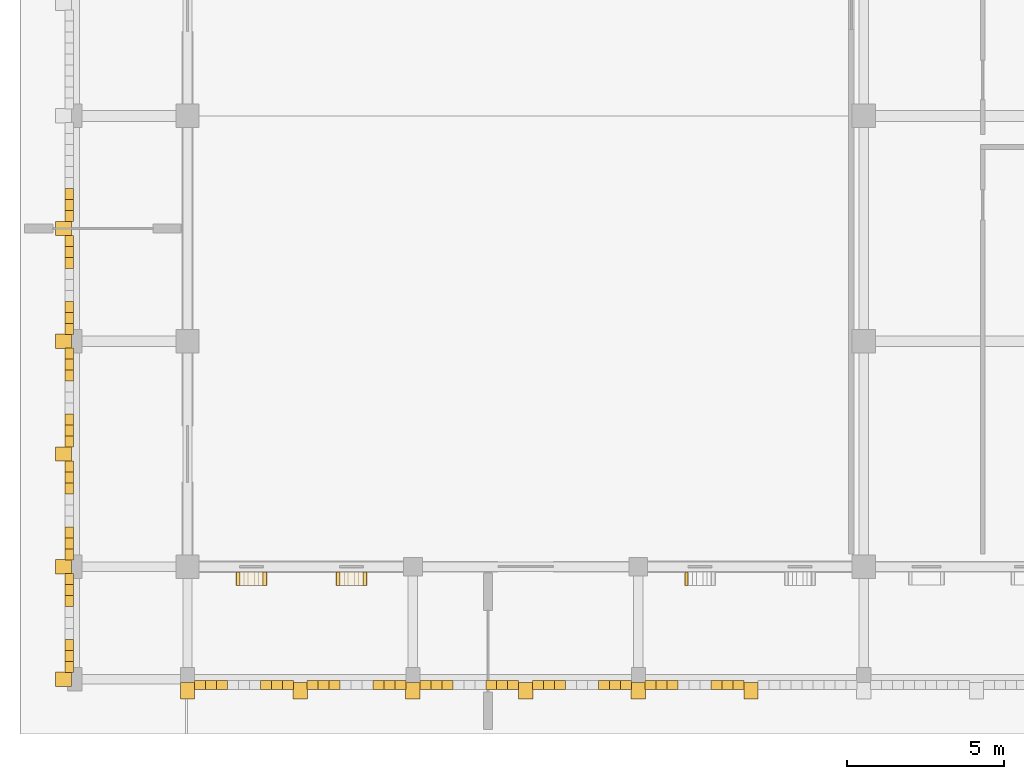
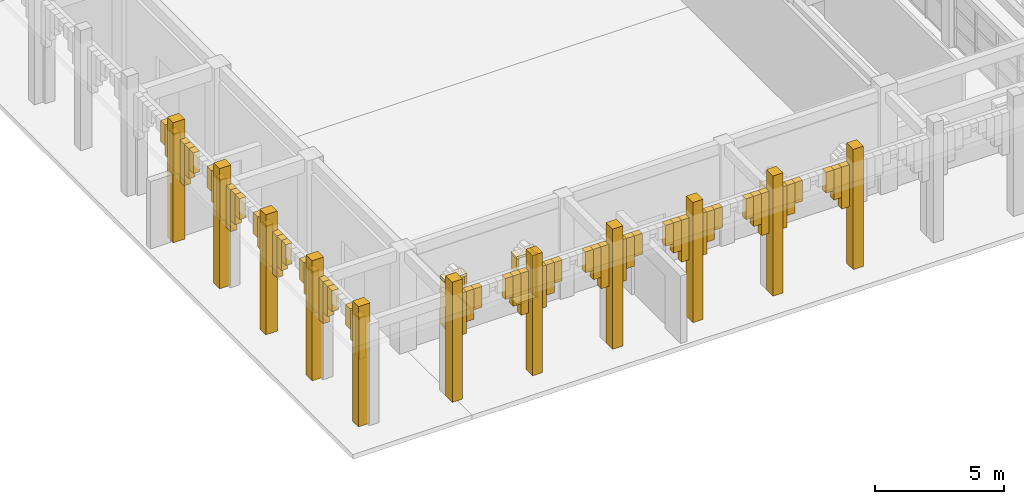
# One storey, part 46 of 72: 77 coverings.
"""IFC4 building model written with IfcOpenShell, lengths in metres."""

from ifc_helpers import new_model, si_unit, direction, frame, origin, origin_2d, place, context, subcontext, project, spatial, rectangle, extrude, material, layer, layer_set, type_object, element, save


model = new_model("IFC4")

# Units and contexts
model_context = context("Model", 3, precision=1e-05, world=origin(), true_north=direction((0.0, 1.0)))
body_context = subcontext(model_context, "Body", "Model", "MODEL_VIEW")
ifc_project = project(units=[si_unit("LENGTHUNIT", "METRE"), si_unit("AREAUNIT", "SQUARE_METRE"), si_unit("VOLUMEUNIT", "CUBIC_METRE"), si_unit("PLANEANGLEUNIT", "RADIAN"), si_unit("MASSUNIT", "GRAM", prefix="KILO")], contexts=[model_context])

# Site, building, storey
site_placement = place(None, origin())
site = spatial("IfcSite", under=ifc_project, at=site_placement, CompositionType="ELEMENT")
building_placement = place(site_placement, origin())
building = spatial("IfcBuilding", under=site, at=building_placement, Name="Nzembalo Square Collegiate School", CompositionType="ELEMENT")
storey_placement = place(building_placement, origin())
storey = spatial("IfcBuildingStorey", under=building, at=storey_placement, Name="L00", CompositionType="ELEMENT", Elevation=0.0)

# Coverings
ifc_material_1 = material(Name="Precast concrete C40/50 arch voussoir", Category="concrete")
ifc_layer_1 = layer(ifc_material_1, 0.1201171875, Name="Precast concrete C40/50 arch voussoir")
ifc_layer_set_1 = layer_set([ifc_layer_1], Name="Precast concrete C40/50 arch voussoir")
covering_type_1 = type_object("IfcCoveringType", Name="AR01", PredefinedType="CLADDING", material=ifc_layer_set_1)
covering_1_placement = place(storey_placement, frame((4.6201171875, 5.195556640625, 2.808349609375), z_axis=(0.0, 0.0, 1.0), x_axis=(1.0, 0.0, 0.0)))
element("IfcCovering", 1, at=covering_1_placement, inside=storey, type_object=covering_type_1, Name="Gothic pointed arch voussoir AR01-001-0", PredefinedType="CLADDING", context=body_context, shape_type="SweptSolid", body=[
    extrude(rectangle(XDim=0.280029296875, YDim=0.35107421875, at=origin_2d()), origin(), (0.0, 0.0, 1.0), 1.99169921875),
])
covering_2_placement = place(storey_placement, frame((4.6201171875, 5.546630859375, 3.361083984375), z_axis=(0.0, 0.0, 1.0), x_axis=(1.0, 0.0, 0.0)))
element("IfcCovering", 2, at=covering_2_placement, inside=storey, type_object=covering_type_1, Name="Gothic pointed arch voussoir AR01-001-1", PredefinedType="CLADDING", context=body_context, shape_type="SweptSolid", body=[
    extrude(rectangle(XDim=0.280029296875, YDim=0.35107421875, at=origin_2d()), origin(), (0.0, 0.0, 1.0), 1.43896484375),
])
for number, where, z_axis, x_axis, name in (
    (3, (4.6201171875, 5.897705078125, 3.810546875), (0.0, 0.0, 1.0), (1.0, 0.0, 0.0), "Gothic pointed arch voussoir AR01-001-2"),
    (4, (4.6201171875, 7.302001953125, 3.810546875), (0.0, 0.0, 1.0), (1.0, 0.0, 0.0), "Gothic pointed arch voussoir AR01-001-6"),
):
    element("IfcCovering", number, at=place(storey_placement, frame(where, z_axis=z_axis, x_axis=x_axis)), inside=storey, type_object=covering_type_1, Name=name, PredefinedType="CLADDING", context=body_context, shape_type="SweptSolid", body=[
        extrude(rectangle(XDim=0.280029296875, YDim=0.35107421875, at=origin_2d()), origin(), (0.0, 0.0, 1.0), 0.989501953125),
    ])
covering_3_placement = place(storey_placement, frame((4.6201171875, 7.6533203125, 3.361328125), z_axis=(0.0, 0.0, 1.0), x_axis=(1.0, 0.0, 0.0)))
element("IfcCovering", 5, at=covering_3_placement, inside=storey, type_object=covering_type_1, Name="Gothic pointed arch voussoir AR01-001-7", PredefinedType="CLADDING", context=body_context, shape_type="SweptSolid", body=[
    extrude(rectangle(XDim=0.280029296875, YDim=0.35107421875, at=origin_2d()), origin(), (0.0, 0.0, 1.0), 1.438720703125),
])
covering_4_placement = place(storey_placement, frame((4.6201171875, 8.00439453125, 2.80859375), z_axis=(0.0, 0.0, 1.0), x_axis=(1.0, 0.0, 0.0)))
element("IfcCovering", 6, at=covering_4_placement, inside=storey, type_object=covering_type_1, Name="Gothic pointed arch voussoir AR01-001-8", PredefinedType="CLADDING", context=body_context, shape_type="SweptSolid", body=[
    extrude(rectangle(XDim=0.280029296875, YDim=0.35107421875, at=origin_2d()), origin(), (0.0, 0.0, 1.0), 1.991455078125),
])
covering_5_placement = place(storey_placement, frame((4.43994140625, 4.800048828125, 0.0), z_axis=(0.0, 0.0, 1.0), x_axis=(1.0, 0.0, 0.0)))
element("IfcCovering", 7, at=covering_5_placement, inside=storey, type_object=covering_type_1, Name="Gothic arcade buttress pinnacle AR01-B001", PredefinedType="CLADDING", context=body_context, shape_type="SweptSolid", body=[
    extrude(rectangle(XDim=0.52001953125, YDim=0.4599609375, at=origin_2d()), origin(), (0.0, 0.0, 1.0), 5.699951171875),
])
covering_6_placement = place(storey_placement, frame((4.6201171875, 8.79541015625, 2.808349609375), z_axis=(0.0, 0.0, 1.0), x_axis=(1.0, 0.0, 0.0)))
element("IfcCovering", 8, at=covering_6_placement, inside=storey, type_object=covering_type_1, Name="Gothic pointed arch voussoir AR01-002-0", PredefinedType="CLADDING", context=body_context, shape_type="SweptSolid", body=[
    extrude(rectangle(XDim=0.280029296875, YDim=0.35107421875, at=origin_2d()), origin(), (0.0, 0.0, 1.0), 1.99169921875),
])
covering_7_placement = place(storey_placement, frame((4.6201171875, 9.146484375, 3.361083984375), z_axis=(0.0, 0.0, 1.0), x_axis=(1.0, 0.0, 0.0)))
element("IfcCovering", 9, at=covering_7_placement, inside=storey, type_object=covering_type_1, Name="Gothic pointed arch voussoir AR01-002-1", PredefinedType="CLADDING", context=body_context, shape_type="SweptSolid", body=[
    extrude(rectangle(XDim=0.280029296875, YDim=0.35107421875, at=origin_2d()), origin(), (0.0, 0.0, 1.0), 1.43896484375),
])
for number, where, z_axis, x_axis, name in (
    (10, (4.6201171875, 9.497802734375, 3.810546875), (0.0, 0.0, 1.0), (1.0, 0.0, 0.0), "Gothic pointed arch voussoir AR01-002-2"),
    (11, (4.6201171875, 10.902099609375, 3.810546875), (0.0, 0.0, 1.0), (1.0, 0.0, 0.0), "Gothic pointed arch voussoir AR01-002-6"),
):
    element("IfcCovering", number, at=place(storey_placement, frame(where, z_axis=z_axis, x_axis=x_axis)), inside=storey, type_object=covering_type_1, Name=name, PredefinedType="CLADDING", context=body_context, shape_type="SweptSolid", body=[
        extrude(rectangle(XDim=0.280029296875, YDim=0.35107421875, at=origin_2d()), origin(), (0.0, 0.0, 1.0), 0.989501953125),
    ])
covering_8_placement = place(storey_placement, frame((4.6201171875, 11.253173828125, 3.361328125), z_axis=(0.0, 0.0, 1.0), x_axis=(1.0, 0.0, 0.0)))
element("IfcCovering", 12, at=covering_8_placement, inside=storey, type_object=covering_type_1, Name="Gothic pointed arch voussoir AR01-002-7", PredefinedType="CLADDING", context=body_context, shape_type="SweptSolid", body=[
    extrude(rectangle(XDim=0.280029296875, YDim=0.35107421875, at=origin_2d()), origin(), (0.0, 0.0, 1.0), 1.438720703125),
])
covering_9_placement = place(storey_placement, frame((4.6201171875, 11.6044921875, 2.80859375), z_axis=(0.0, 0.0, 1.0), x_axis=(1.0, 0.0, 0.0)))
element("IfcCovering", 13, at=covering_9_placement, inside=storey, type_object=covering_type_1, Name="Gothic pointed arch voussoir AR01-002-8", PredefinedType="CLADDING", context=body_context, shape_type="SweptSolid", body=[
    extrude(rectangle(XDim=0.280029296875, YDim=0.35107421875, at=origin_2d()), origin(), (0.0, 0.0, 1.0), 1.991455078125),
])
covering_10_placement = place(storey_placement, frame((4.43994140625, 8.39990234375, 0.0), z_axis=(0.0, 0.0, 1.0), x_axis=(1.0, 0.0, 0.0)))
element("IfcCovering", 14, at=covering_10_placement, inside=storey, type_object=covering_type_1, Name="Gothic arcade buttress pinnacle AR01-B002", PredefinedType="CLADDING", context=body_context, shape_type="SweptSolid", body=[
    extrude(rectangle(XDim=0.52001953125, YDim=0.4599609375, at=origin_2d()), origin(), (0.0, 0.0, 1.0), 5.699951171875),
])
covering_11_placement = place(storey_placement, frame((4.6201171875, 12.3955078125, 2.808349609375), z_axis=(0.0, 0.0, 1.0), x_axis=(1.0, 0.0, 0.0)))
element("IfcCovering", 15, at=covering_11_placement, inside=storey, type_object=covering_type_1, Name="Gothic pointed arch voussoir AR01-003-0", PredefinedType="CLADDING", context=body_context, shape_type="SweptSolid", body=[
    extrude(rectangle(XDim=0.280029296875, YDim=0.35107421875, at=origin_2d()), origin(), (0.0, 0.0, 1.0), 1.99169921875),
])
covering_12_placement = place(storey_placement, frame((4.6201171875, 12.74658203125, 3.361083984375), z_axis=(0.0, 0.0, 1.0), x_axis=(1.0, 0.0, 0.0)))
element("IfcCovering", 16, at=covering_12_placement, inside=storey, type_object=covering_type_1, Name="Gothic pointed arch voussoir AR01-003-1", PredefinedType="CLADDING", context=body_context, shape_type="SweptSolid", body=[
    extrude(rectangle(XDim=0.280029296875, YDim=0.35107421875, at=origin_2d()), origin(), (0.0, 0.0, 1.0), 1.43896484375),
])
for number, where, z_axis, x_axis, name in (
    (17, (4.6201171875, 13.09765625, 3.810546875), (0.0, 0.0, 1.0), (1.0, 0.0, 0.0), "Gothic pointed arch voussoir AR01-003-2"),
    (18, (4.6201171875, 14.502197265625, 3.810546875), (0.0, 0.0, 1.0), (1.0, 0.0, 0.0), "Gothic pointed arch voussoir AR01-003-6"),
):
    element("IfcCovering", number, at=place(storey_placement, frame(where, z_axis=z_axis, x_axis=x_axis)), inside=storey, type_object=covering_type_1, Name=name, PredefinedType="CLADDING", context=body_context, shape_type="SweptSolid", body=[
        extrude(rectangle(XDim=0.280029296875, YDim=0.35107421875, at=origin_2d()), origin(), (0.0, 0.0, 1.0), 0.989501953125),
    ])
covering_13_placement = place(storey_placement, frame((4.6201171875, 14.853271484375, 3.361328125), z_axis=(0.0, 0.0, 1.0), x_axis=(1.0, 0.0, 0.0)))
element("IfcCovering", 19, at=covering_13_placement, inside=storey, type_object=covering_type_1, Name="Gothic pointed arch voussoir AR01-003-7", PredefinedType="CLADDING", context=body_context, shape_type="SweptSolid", body=[
    extrude(rectangle(XDim=0.280029296875, YDim=0.35107421875, at=origin_2d()), origin(), (0.0, 0.0, 1.0), 1.438720703125),
])
covering_14_placement = place(storey_placement, frame((4.6201171875, 15.204345703125, 2.80859375), z_axis=(0.0, 0.0, 1.0), x_axis=(1.0, 0.0, 0.0)))
element("IfcCovering", 20, at=covering_14_placement, inside=storey, type_object=covering_type_1, Name="Gothic pointed arch voussoir AR01-003-8", PredefinedType="CLADDING", context=body_context, shape_type="SweptSolid", body=[
    extrude(rectangle(XDim=0.280029296875, YDim=0.35107421875, at=origin_2d()), origin(), (0.0, 0.0, 1.0), 1.991455078125),
])
covering_15_placement = place(storey_placement, frame((4.43994140625, 12.0, 0.0), z_axis=(0.0, 0.0, 1.0), x_axis=(1.0, 0.0, 0.0)))
element("IfcCovering", 21, at=covering_15_placement, inside=storey, type_object=covering_type_1, Name="Gothic arcade buttress pinnacle AR01-B003", PredefinedType="CLADDING", context=body_context, shape_type="SweptSolid", body=[
    extrude(rectangle(XDim=0.52001953125, YDim=0.4599609375, at=origin_2d()), origin(), (0.0, 0.0, 1.0), 5.699951171875),
])
covering_16_placement = place(storey_placement, frame((4.6201171875, 15.99560546875, 2.808349609375), z_axis=(0.0, 0.0, 1.0), x_axis=(1.0, 0.0, 0.0)))
element("IfcCovering", 22, at=covering_16_placement, inside=storey, type_object=covering_type_1, Name="Gothic pointed arch voussoir AR01-004-0", PredefinedType="CLADDING", context=body_context, shape_type="SweptSolid", body=[
    extrude(rectangle(XDim=0.280029296875, YDim=0.35107421875, at=origin_2d()), origin(), (0.0, 0.0, 1.0), 1.99169921875),
])
covering_17_placement = place(storey_placement, frame((4.6201171875, 16.3466796875, 3.361083984375), z_axis=(0.0, 0.0, 1.0), x_axis=(1.0, 0.0, 0.0)))
element("IfcCovering", 23, at=covering_17_placement, inside=storey, type_object=covering_type_1, Name="Gothic pointed arch voussoir AR01-004-1", PredefinedType="CLADDING", context=body_context, shape_type="SweptSolid", body=[
    extrude(rectangle(XDim=0.280029296875, YDim=0.35107421875, at=origin_2d()), origin(), (0.0, 0.0, 1.0), 1.43896484375),
])
for number, where, z_axis, x_axis, name in (
    (24, (4.6201171875, 16.69775390625, 3.810546875), (0.0, 0.0, 1.0), (1.0, 0.0, 0.0), "Gothic pointed arch voussoir AR01-004-2"),
    (25, (4.6201171875, 18.10205078125, 3.810546875), (0.0, 0.0, 1.0), (1.0, 0.0, 0.0), "Gothic pointed arch voussoir AR01-004-6"),
):
    element("IfcCovering", number, at=place(storey_placement, frame(where, z_axis=z_axis, x_axis=x_axis)), inside=storey, type_object=covering_type_1, Name=name, PredefinedType="CLADDING", context=body_context, shape_type="SweptSolid", body=[
        extrude(rectangle(XDim=0.280029296875, YDim=0.35107421875, at=origin_2d()), origin(), (0.0, 0.0, 1.0), 0.989501953125),
    ])
covering_18_placement = place(storey_placement, frame((4.6201171875, 18.453125, 3.361328125), z_axis=(0.0, 0.0, 1.0), x_axis=(1.0, 0.0, 0.0)))
element("IfcCovering", 26, at=covering_18_placement, inside=storey, type_object=covering_type_1, Name="Gothic pointed arch voussoir AR01-004-7", PredefinedType="CLADDING", context=body_context, shape_type="SweptSolid", body=[
    extrude(rectangle(XDim=0.280029296875, YDim=0.35107421875, at=origin_2d()), origin(), (0.0, 0.0, 1.0), 1.438720703125),
])
covering_19_placement = place(storey_placement, frame((4.6201171875, 18.80419921875, 2.80859375), z_axis=(0.0, 0.0, 1.0), x_axis=(1.0, 0.0, 0.0)))
element("IfcCovering", 27, at=covering_19_placement, inside=storey, type_object=covering_type_1, Name="Gothic pointed arch voussoir AR01-004-8", PredefinedType="CLADDING", context=body_context, shape_type="SweptSolid", body=[
    extrude(rectangle(XDim=0.280029296875, YDim=0.35107421875, at=origin_2d()), origin(), (0.0, 0.0, 1.0), 1.991455078125),
])
covering_20_placement = place(storey_placement, frame((4.43994140625, 15.60009765625, 0.0), z_axis=(0.0, 0.0, 1.0), x_axis=(1.0, 0.0, 0.0)))
element("IfcCovering", 28, at=covering_20_placement, inside=storey, type_object=covering_type_1, Name="Gothic arcade buttress pinnacle AR01-B004", PredefinedType="CLADDING", context=body_context, shape_type="SweptSolid", body=[
    extrude(rectangle(XDim=0.52001953125, YDim=0.4599609375, at=origin_2d()), origin(), (0.0, 0.0, 1.0), 5.699951171875),
])
covering_21_placement = place(storey_placement, frame((4.6201171875, 19.595458984375, 2.808349609375), z_axis=(0.0, 0.0, 1.0), x_axis=(1.0, 0.0, 0.0)))
element("IfcCovering", 29, at=covering_21_placement, inside=storey, type_object=covering_type_1, Name="Gothic pointed arch voussoir AR01-005-0", PredefinedType="CLADDING", context=body_context, shape_type="SweptSolid", body=[
    extrude(rectangle(XDim=0.280029296875, YDim=0.35107421875, at=origin_2d()), origin(), (0.0, 0.0, 1.0), 1.99169921875),
])
covering_22_placement = place(storey_placement, frame((4.6201171875, 19.946533203125, 3.361083984375), z_axis=(0.0, 0.0, 1.0), x_axis=(1.0, 0.0, 0.0)))
element("IfcCovering", 30, at=covering_22_placement, inside=storey, type_object=covering_type_1, Name="Gothic pointed arch voussoir AR01-005-1", PredefinedType="CLADDING", context=body_context, shape_type="SweptSolid", body=[
    extrude(rectangle(XDim=0.280029296875, YDim=0.35107421875, at=origin_2d()), origin(), (0.0, 0.0, 1.0), 1.43896484375),
])
covering_23_placement = place(storey_placement, frame((4.6201171875, 20.2978515625, 3.810546875), z_axis=(0.0, 0.0, 1.0), x_axis=(1.0, 0.0, 0.0)))
element("IfcCovering", 31, at=covering_23_placement, inside=storey, type_object=covering_type_1, Name="Gothic pointed arch voussoir AR01-005-2", PredefinedType="CLADDING", context=body_context, shape_type="SweptSolid", body=[
    extrude(rectangle(XDim=0.280029296875, YDim=0.35107421875, at=origin_2d()), origin(), (0.0, 0.0, 1.0), 0.989501953125),
])
covering_24_placement = place(storey_placement, frame((4.43994140625, 19.199951171875, 0.0), z_axis=(0.0, 0.0, 1.0), x_axis=(1.0, 0.0, 0.0)))
element("IfcCovering", 32, at=covering_24_placement, inside=storey, type_object=covering_type_1, Name="Gothic arcade buttress pinnacle AR01-B005", PredefinedType="CLADDING", context=body_context, shape_type="SweptSolid", body=[
    extrude(rectangle(XDim=0.52001953125, YDim=0.4599609375, at=origin_2d()), origin(), (0.0, 0.0, 1.0), 5.699951171875),
])
covering_25_placement = place(storey_placement, frame((8.795654296875, 4.6201171875, 2.808349609375), z_axis=(0.0, 0.0, 1.0), x_axis=(1.0, 0.0, 0.0)))
element("IfcCovering", 33, at=covering_25_placement, inside=storey, type_object=covering_type_1, Name="Gothic pointed arch voussoir AR01-022-0", PredefinedType="CLADDING", context=body_context, shape_type="SweptSolid", body=[
    extrude(rectangle(XDim=0.35107421875, YDim=0.280029296875, at=origin_2d()), origin(), (0.0, 0.0, 1.0), 1.99169921875),
])
covering_26_placement = place(storey_placement, frame((9.146728515625, 4.6201171875, 3.361083984375), z_axis=(0.0, 0.0, 1.0), x_axis=(1.0, 0.0, 0.0)))
element("IfcCovering", 34, at=covering_26_placement, inside=storey, type_object=covering_type_1, Name="Gothic pointed arch voussoir AR01-022-1", PredefinedType="CLADDING", context=body_context, shape_type="SweptSolid", body=[
    extrude(rectangle(XDim=0.35107421875, YDim=0.280029296875, at=origin_2d()), origin(), (0.0, 0.0, 1.0), 1.43896484375),
])
for number, where, z_axis, x_axis, name in (
    (35, (9.497802734375, 4.6201171875, 3.810546875), (0.0, 0.0, 1.0), (1.0, 0.0, 0.0), "Gothic pointed arch voussoir AR01-022-2"),
    (36, (10.902099609375, 4.6201171875, 3.810546875), (0.0, 0.0, 1.0), (1.0, 0.0, 0.0), "Gothic pointed arch voussoir AR01-022-6"),
):
    element("IfcCovering", number, at=place(storey_placement, frame(where, z_axis=z_axis, x_axis=x_axis)), inside=storey, type_object=covering_type_1, Name=name, PredefinedType="CLADDING", context=body_context, shape_type="SweptSolid", body=[
        extrude(rectangle(XDim=0.35107421875, YDim=0.280029296875, at=origin_2d()), origin(), (0.0, 0.0, 1.0), 0.989501953125),
    ])
covering_27_placement = place(storey_placement, frame((11.25341796875, 4.6201171875, 3.361328125), z_axis=(0.0, 0.0, 1.0), x_axis=(1.0, 0.0, 0.0)))
element("IfcCovering", 37, at=covering_27_placement, inside=storey, type_object=covering_type_1, Name="Gothic pointed arch voussoir AR01-022-7", PredefinedType="CLADDING", context=body_context, shape_type="SweptSolid", body=[
    extrude(rectangle(XDim=0.35107421875, YDim=0.280029296875, at=origin_2d()), origin(), (0.0, 0.0, 1.0), 1.438720703125),
])
covering_28_placement = place(storey_placement, frame((11.6044921875, 4.6201171875, 2.80859375), z_axis=(0.0, 0.0, 1.0), x_axis=(1.0, 0.0, 0.0)))
element("IfcCovering", 38, at=covering_28_placement, inside=storey, type_object=covering_type_1, Name="Gothic pointed arch voussoir AR01-022-8", PredefinedType="CLADDING", context=body_context, shape_type="SweptSolid", body=[
    extrude(rectangle(XDim=0.35107421875, YDim=0.280029296875, at=origin_2d()), origin(), (0.0, 0.0, 1.0), 1.991455078125),
])
covering_29_placement = place(storey_placement, frame((8.39990234375, 4.43994140625, 0.0), z_axis=(0.0, 0.0, 1.0), x_axis=(1.0, 0.0, 0.0)))
element("IfcCovering", 39, at=covering_29_placement, inside=storey, type_object=covering_type_1, Name="Gothic arcade buttress pinnacle AR01-B022", PredefinedType="CLADDING", context=body_context, shape_type="SweptSolid", body=[
    extrude(rectangle(XDim=0.4599609375, YDim=0.52001953125, at=origin_2d()), origin(), (0.0, 0.0, 1.0), 5.699951171875),
])
covering_30_placement = place(storey_placement, frame((12.3955078125, 4.6201171875, 2.808349609375), z_axis=(0.0, 0.0, 1.0), x_axis=(1.0, 0.0, 0.0)))
element("IfcCovering", 40, at=covering_30_placement, inside=storey, type_object=covering_type_1, Name="Gothic pointed arch voussoir AR01-023-0", PredefinedType="CLADDING", context=body_context, shape_type="SweptSolid", body=[
    extrude(rectangle(XDim=0.35107421875, YDim=0.280029296875, at=origin_2d()), origin(), (0.0, 0.0, 1.0), 1.99169921875),
])
covering_31_placement = place(storey_placement, frame((12.74658203125, 4.6201171875, 3.361083984375), z_axis=(0.0, 0.0, 1.0), x_axis=(1.0, 0.0, 0.0)))
element("IfcCovering", 41, at=covering_31_placement, inside=storey, type_object=covering_type_1, Name="Gothic pointed arch voussoir AR01-023-1", PredefinedType="CLADDING", context=body_context, shape_type="SweptSolid", body=[
    extrude(rectangle(XDim=0.35107421875, YDim=0.280029296875, at=origin_2d()), origin(), (0.0, 0.0, 1.0), 1.43896484375),
])
for number, where, z_axis, x_axis, name in (
    (42, (13.097900390625, 4.6201171875, 3.810546875), (0.0, 0.0, 1.0), (1.0, 0.0, 0.0), "Gothic pointed arch voussoir AR01-023-2"),
    (43, (14.502197265625, 4.6201171875, 3.810546875), (0.0, 0.0, 1.0), (1.0, 0.0, 0.0), "Gothic pointed arch voussoir AR01-023-6"),
):
    element("IfcCovering", number, at=place(storey_placement, frame(where, z_axis=z_axis, x_axis=x_axis)), inside=storey, type_object=covering_type_1, Name=name, PredefinedType="CLADDING", context=body_context, shape_type="SweptSolid", body=[
        extrude(rectangle(XDim=0.35107421875, YDim=0.280029296875, at=origin_2d()), origin(), (0.0, 0.0, 1.0), 0.989501953125),
    ])
covering_32_placement = place(storey_placement, frame((14.853271484375, 4.6201171875, 3.361328125), z_axis=(0.0, 0.0, 1.0), x_axis=(1.0, 0.0, 0.0)))
element("IfcCovering", 44, at=covering_32_placement, inside=storey, type_object=covering_type_1, Name="Gothic pointed arch voussoir AR01-023-7", PredefinedType="CLADDING", context=body_context, shape_type="SweptSolid", body=[
    extrude(rectangle(XDim=0.35107421875, YDim=0.280029296875, at=origin_2d()), origin(), (0.0, 0.0, 1.0), 1.438720703125),
])
covering_33_placement = place(storey_placement, frame((15.204345703125, 4.6201171875, 2.80859375), z_axis=(0.0, 0.0, 1.0), x_axis=(1.0, 0.0, 0.0)))
element("IfcCovering", 45, at=covering_33_placement, inside=storey, type_object=covering_type_1, Name="Gothic pointed arch voussoir AR01-023-8", PredefinedType="CLADDING", context=body_context, shape_type="SweptSolid", body=[
    extrude(rectangle(XDim=0.35107421875, YDim=0.280029296875, at=origin_2d()), origin(), (0.0, 0.0, 1.0), 1.991455078125),
])
covering_34_placement = place(storey_placement, frame((12.0, 4.43994140625, 0.0), z_axis=(0.0, 0.0, 1.0), x_axis=(1.0, 0.0, 0.0)))
element("IfcCovering", 46, at=covering_34_placement, inside=storey, type_object=covering_type_1, Name="Gothic arcade buttress pinnacle AR01-B023", PredefinedType="CLADDING", context=body_context, shape_type="SweptSolid", body=[
    extrude(rectangle(XDim=0.4599609375, YDim=0.52001953125, at=origin_2d()), origin(), (0.0, 0.0, 1.0), 5.699951171875),
])
covering_35_placement = place(storey_placement, frame((15.99560546875, 4.6201171875, 2.808349609375), z_axis=(0.0, 0.0, 1.0), x_axis=(1.0, 0.0, 0.0)))
element("IfcCovering", 47, at=covering_35_placement, inside=storey, type_object=covering_type_1, Name="Gothic pointed arch voussoir AR01-024-0", PredefinedType="CLADDING", context=body_context, shape_type="SweptSolid", body=[
    extrude(rectangle(XDim=0.35107421875, YDim=0.280029296875, at=origin_2d()), origin(), (0.0, 0.0, 1.0), 1.99169921875),
])
covering_36_placement = place(storey_placement, frame((16.3466796875, 4.6201171875, 3.361083984375), z_axis=(0.0, 0.0, 1.0), x_axis=(1.0, 0.0, 0.0)))
element("IfcCovering", 48, at=covering_36_placement, inside=storey, type_object=covering_type_1, Name="Gothic pointed arch voussoir AR01-024-1", PredefinedType="CLADDING", context=body_context, shape_type="SweptSolid", body=[
    extrude(rectangle(XDim=0.35107421875, YDim=0.280029296875, at=origin_2d()), origin(), (0.0, 0.0, 1.0), 1.43896484375),
])
for number, where, z_axis, x_axis, name in (
    (49, (16.69775390625, 4.6201171875, 3.810546875), (0.0, 0.0, 1.0), (1.0, 0.0, 0.0), "Gothic pointed arch voussoir AR01-024-2"),
    (50, (18.102294921875, 4.6201171875, 3.810546875), (0.0, 0.0, 1.0), (1.0, 0.0, 0.0), "Gothic pointed arch voussoir AR01-024-6"),
):
    element("IfcCovering", number, at=place(storey_placement, frame(where, z_axis=z_axis, x_axis=x_axis)), inside=storey, type_object=covering_type_1, Name=name, PredefinedType="CLADDING", context=body_context, shape_type="SweptSolid", body=[
        extrude(rectangle(XDim=0.35107421875, YDim=0.280029296875, at=origin_2d()), origin(), (0.0, 0.0, 1.0), 0.989501953125),
    ])
covering_37_placement = place(storey_placement, frame((18.453369140625, 4.6201171875, 3.361328125), z_axis=(0.0, 0.0, 1.0), x_axis=(1.0, 0.0, 0.0)))
element("IfcCovering", 51, at=covering_37_placement, inside=storey, type_object=covering_type_1, Name="Gothic pointed arch voussoir AR01-024-7", PredefinedType="CLADDING", context=body_context, shape_type="SweptSolid", body=[
    extrude(rectangle(XDim=0.35107421875, YDim=0.280029296875, at=origin_2d()), origin(), (0.0, 0.0, 1.0), 1.438720703125),
])
covering_38_placement = place(storey_placement, frame((18.804443359375, 4.6201171875, 2.80859375), z_axis=(0.0, 0.0, 1.0), x_axis=(1.0, 0.0, 0.0)))
element("IfcCovering", 52, at=covering_38_placement, inside=storey, type_object=covering_type_1, Name="Gothic pointed arch voussoir AR01-024-8", PredefinedType="CLADDING", context=body_context, shape_type="SweptSolid", body=[
    extrude(rectangle(XDim=0.35107421875, YDim=0.280029296875, at=origin_2d()), origin(), (0.0, 0.0, 1.0), 1.991455078125),
])
covering_39_placement = place(storey_placement, frame((15.60009765625, 4.43994140625, 0.0), z_axis=(0.0, 0.0, 1.0), x_axis=(1.0, 0.0, 0.0)))
element("IfcCovering", 53, at=covering_39_placement, inside=storey, type_object=covering_type_1, Name="Gothic arcade buttress pinnacle AR01-B024", PredefinedType="CLADDING", context=body_context, shape_type="SweptSolid", body=[
    extrude(rectangle(XDim=0.4599609375, YDim=0.52001953125, at=origin_2d()), origin(), (0.0, 0.0, 1.0), 5.699951171875),
])
covering_40_placement = place(storey_placement, frame((19.595703125, 4.6201171875, 2.808349609375), z_axis=(0.0, 0.0, 1.0), x_axis=(1.0, 0.0, 0.0)))
element("IfcCovering", 54, at=covering_40_placement, inside=storey, type_object=covering_type_1, Name="Gothic pointed arch voussoir AR01-025-0", PredefinedType="CLADDING", context=body_context, shape_type="SweptSolid", body=[
    extrude(rectangle(XDim=0.35107421875, YDim=0.280029296875, at=origin_2d()), origin(), (0.0, 0.0, 1.0), 1.99169921875),
])
covering_41_placement = place(storey_placement, frame((19.94677734375, 4.6201171875, 3.361083984375), z_axis=(0.0, 0.0, 1.0), x_axis=(1.0, 0.0, 0.0)))
element("IfcCovering", 55, at=covering_41_placement, inside=storey, type_object=covering_type_1, Name="Gothic pointed arch voussoir AR01-025-1", PredefinedType="CLADDING", context=body_context, shape_type="SweptSolid", body=[
    extrude(rectangle(XDim=0.35107421875, YDim=0.280029296875, at=origin_2d()), origin(), (0.0, 0.0, 1.0), 1.43896484375),
])
for number, where, z_axis, x_axis, name in (
    (56, (20.2978515625, 4.6201171875, 3.810546875), (0.0, 0.0, 1.0), (1.0, 0.0, 0.0), "Gothic pointed arch voussoir AR01-025-2"),
    (57, (21.7021484375, 4.6201171875, 3.810546875), (0.0, 0.0, 1.0), (1.0, 0.0, 0.0), "Gothic pointed arch voussoir AR01-025-6"),
):
    element("IfcCovering", number, at=place(storey_placement, frame(where, z_axis=z_axis, x_axis=x_axis)), inside=storey, type_object=covering_type_1, Name=name, PredefinedType="CLADDING", context=body_context, shape_type="SweptSolid", body=[
        extrude(rectangle(XDim=0.35107421875, YDim=0.280029296875, at=origin_2d()), origin(), (0.0, 0.0, 1.0), 0.989501953125),
    ])
covering_42_placement = place(storey_placement, frame((22.05322265625, 4.6201171875, 3.361328125), z_axis=(0.0, 0.0, 1.0), x_axis=(1.0, 0.0, 0.0)))
element("IfcCovering", 58, at=covering_42_placement, inside=storey, type_object=covering_type_1, Name="Gothic pointed arch voussoir AR01-025-7", PredefinedType="CLADDING", context=body_context, shape_type="SweptSolid", body=[
    extrude(rectangle(XDim=0.35107421875, YDim=0.280029296875, at=origin_2d()), origin(), (0.0, 0.0, 1.0), 1.438720703125),
])
covering_43_placement = place(storey_placement, frame((22.404296875, 4.6201171875, 2.80859375), z_axis=(0.0, 0.0, 1.0), x_axis=(1.0, 0.0, 0.0)))
element("IfcCovering", 59, at=covering_43_placement, inside=storey, type_object=covering_type_1, Name="Gothic pointed arch voussoir AR01-025-8", PredefinedType="CLADDING", context=body_context, shape_type="SweptSolid", body=[
    extrude(rectangle(XDim=0.35107421875, YDim=0.280029296875, at=origin_2d()), origin(), (0.0, 0.0, 1.0), 1.991455078125),
])
covering_44_placement = place(storey_placement, frame((19.199951171875, 4.43994140625, 0.0), z_axis=(0.0, 0.0, 1.0), x_axis=(1.0, 0.0, 0.0)))
element("IfcCovering", 60, at=covering_44_placement, inside=storey, type_object=covering_type_1, Name="Gothic arcade buttress pinnacle AR01-B025", PredefinedType="CLADDING", context=body_context, shape_type="SweptSolid", body=[
    extrude(rectangle(XDim=0.4599609375, YDim=0.52001953125, at=origin_2d()), origin(), (0.0, 0.0, 1.0), 5.699951171875),
])
covering_45_placement = place(storey_placement, frame((23.195556640625, 4.6201171875, 2.808349609375), z_axis=(0.0, 0.0, 1.0), x_axis=(1.0, 0.0, 0.0)))
element("IfcCovering", 61, at=covering_45_placement, inside=storey, type_object=covering_type_1, Name="Gothic pointed arch voussoir AR01-026-0", PredefinedType="CLADDING", context=body_context, shape_type="SweptSolid", body=[
    extrude(rectangle(XDim=0.35107421875, YDim=0.280029296875, at=origin_2d()), origin(), (0.0, 0.0, 1.0), 1.99169921875),
])
covering_46_placement = place(storey_placement, frame((23.546630859375, 4.6201171875, 3.361083984375), z_axis=(0.0, 0.0, 1.0), x_axis=(1.0, 0.0, 0.0)))
element("IfcCovering", 62, at=covering_46_placement, inside=storey, type_object=covering_type_1, Name="Gothic pointed arch voussoir AR01-026-1", PredefinedType="CLADDING", context=body_context, shape_type="SweptSolid", body=[
    extrude(rectangle(XDim=0.35107421875, YDim=0.280029296875, at=origin_2d()), origin(), (0.0, 0.0, 1.0), 1.43896484375),
])
for number, where, z_axis, x_axis, name in (
    (63, (23.897705078125, 4.6201171875, 3.810546875), (0.0, 0.0, 1.0), (1.0, 0.0, 0.0), "Gothic pointed arch voussoir AR01-026-2"),
    (64, (25.30224609375, 4.6201171875, 3.810546875), (0.0, 0.0, 1.0), (1.0, 0.0, 0.0), "Gothic pointed arch voussoir AR01-026-6"),
):
    element("IfcCovering", number, at=place(storey_placement, frame(where, z_axis=z_axis, x_axis=x_axis)), inside=storey, type_object=covering_type_1, Name=name, PredefinedType="CLADDING", context=body_context, shape_type="SweptSolid", body=[
        extrude(rectangle(XDim=0.35107421875, YDim=0.280029296875, at=origin_2d()), origin(), (0.0, 0.0, 1.0), 0.989501953125),
    ])
covering_47_placement = place(storey_placement, frame((25.6533203125, 4.6201171875, 3.361328125), z_axis=(0.0, 0.0, 1.0), x_axis=(1.0, 0.0, 0.0)))
element("IfcCovering", 65, at=covering_47_placement, inside=storey, type_object=covering_type_1, Name="Gothic pointed arch voussoir AR01-026-7", PredefinedType="CLADDING", context=body_context, shape_type="SweptSolid", body=[
    extrude(rectangle(XDim=0.35107421875, YDim=0.280029296875, at=origin_2d()), origin(), (0.0, 0.0, 1.0), 1.438720703125),
])
covering_48_placement = place(storey_placement, frame((26.00439453125, 4.6201171875, 2.80859375), z_axis=(0.0, 0.0, 1.0), x_axis=(1.0, 0.0, 0.0)))
element("IfcCovering", 66, at=covering_48_placement, inside=storey, type_object=covering_type_1, Name="Gothic pointed arch voussoir AR01-026-8", PredefinedType="CLADDING", context=body_context, shape_type="SweptSolid", body=[
    extrude(rectangle(XDim=0.35107421875, YDim=0.280029296875, at=origin_2d()), origin(), (0.0, 0.0, 1.0), 1.991455078125),
])
for number, where, z_axis, x_axis, name in (
    (67, (22.800048828125, 4.43994140625, 0.0), (0.0, 0.0, 1.0), (1.0, 0.0, 0.0), "Gothic arcade buttress pinnacle AR01-B026"),
    (68, (26.39990234375, 4.43994140625, 0.0), (0.0, 0.0, 1.0), (1.0, 0.0, 0.0), "Gothic arcade buttress pinnacle AR01-B027"),
):
    element("IfcCovering", number, at=place(storey_placement, frame(where, z_axis=z_axis, x_axis=x_axis)), inside=storey, type_object=covering_type_1, Name=name, PredefinedType="CLADDING", context=body_context, shape_type="SweptSolid", body=[
        extrude(rectangle(XDim=0.4599609375, YDim=0.52001953125, at=origin_2d()), origin(), (0.0, 0.0, 1.0), 5.699951171875),
    ])
ifc_material_2 = material(Name="Glazed celadon ceramic window frame")
ifc_layer_2 = layer(ifc_material_2, 0.419921875, Name="Glazed celadon ceramic window frame")
ifc_layer_set_2 = layer_set([ifc_layer_2], Name="Glazed celadon ceramic window frame")
covering_type_2 = type_object("IfcCoveringType", Name="WF01", PredefinedType="CLADDING", material=ifc_layer_set_2)
covering_49_placement = place(storey_placement, frame((10.439697265625, 8.014892578125, 2.85498046875), z_axis=(0.0, 0.0, 1.0), x_axis=(1.0, 0.0, 0.0)))
element("IfcCovering", 69, at=covering_49_placement, inside=storey, type_object=covering_type_2, Name="Deep lancet window hood WF01-0001", PredefinedType="CLADDING", context=body_context, shape_type="SweptSolid", body=[
    extrude(rectangle(XDim=0.989990234375, YDim=0.419921875, at=origin_2d()), origin(), (0.0, 0.0, 1.0), 0.110107421875),
])
covering_50_placement = place(storey_placement, frame((10.439697265625, 8.014892578125, 0.65478515625), z_axis=(0.0, 0.0, 1.0), x_axis=(1.0, 0.0, 0.0)))
element("IfcCovering", 70, at=covering_50_placement, inside=storey, type_object=covering_type_2, Name="Deep lancet window sill WF01-0001", PredefinedType="CLADDING", context=body_context, shape_type="SweptSolid", body=[
    extrude(rectangle(XDim=0.989990234375, YDim=0.419921875, at=origin_2d()), origin(), (0.0, 0.0, 1.0), 0.090087890625),
])
for number, where, z_axis, x_axis, name in (
    (71, (10.009765625, 8.014892578125, 0.75), (0.0, 0.0, 1.0), (1.0, 0.0, 0.0), "Deep lancet window jamb WF01-0001L"),
    (72, (10.86962890625, 8.014892578125, 0.75), (0.0, 0.0, 1.0), (1.0, 0.0, 0.0), "Deep lancet window jamb WF01-0001R"),
):
    element("IfcCovering", number, at=place(storey_placement, frame(where, z_axis=z_axis, x_axis=x_axis)), inside=storey, type_object=covering_type_2, Name=name, PredefinedType="CLADDING", context=body_context, shape_type="SweptSolid", body=[
        extrude(rectangle(XDim=0.10009765625, YDim=0.419921875, at=origin_2d()), origin(), (0.0, 0.0, 1.0), 2.10009765625),
    ])
covering_51_placement = place(storey_placement, frame((13.63525390625, 8.014892578125, 2.85498046875), z_axis=(0.0, 0.0, 1.0), x_axis=(1.0, 0.0, 0.0)))
element("IfcCovering", 73, at=covering_51_placement, inside=storey, type_object=covering_type_2, Name="Deep lancet window hood WF01-0002", PredefinedType="CLADDING", context=body_context, shape_type="SweptSolid", body=[
    extrude(rectangle(XDim=0.989990234375, YDim=0.419921875, at=origin_2d()), origin(), (0.0, 0.0, 1.0), 0.110107421875),
])
covering_52_placement = place(storey_placement, frame((13.63525390625, 8.014892578125, 0.65478515625), z_axis=(0.0, 0.0, 1.0), x_axis=(1.0, 0.0, 0.0)))
element("IfcCovering", 74, at=covering_52_placement, inside=storey, type_object=covering_type_2, Name="Deep lancet window sill WF01-0002", PredefinedType="CLADDING", context=body_context, shape_type="SweptSolid", body=[
    extrude(rectangle(XDim=0.989990234375, YDim=0.419921875, at=origin_2d()), origin(), (0.0, 0.0, 1.0), 0.090087890625),
])
for number, where, z_axis, x_axis, name in (
    (75, (13.205078125, 8.014892578125, 0.75), (0.0, 0.0, 1.0), (1.0, 0.0, 0.0), "Deep lancet window jamb WF01-0002L"),
    (76, (14.065185546875, 8.014892578125, 0.75), (0.0, 0.0, 1.0), (1.0, 0.0, 0.0), "Deep lancet window jamb WF01-0002R"),
):
    element("IfcCovering", number, at=place(storey_placement, frame(where, z_axis=z_axis, x_axis=x_axis)), inside=storey, type_object=covering_type_2, Name=name, PredefinedType="CLADDING", context=body_context, shape_type="SweptSolid", body=[
        extrude(rectangle(XDim=0.10009765625, YDim=0.419921875, at=origin_2d()), origin(), (0.0, 0.0, 1.0), 2.10009765625),
    ])
covering_53_placement = place(storey_placement, frame((24.334716796875, 8.014892578125, 0.75), z_axis=(0.0, 0.0, 1.0), x_axis=(1.0, 0.0, 0.0)))
element("IfcCovering", 77, at=covering_53_placement, inside=storey, type_object=covering_type_2, Name="Deep lancet window jamb WF01-0003L", PredefinedType="CLADDING", context=body_context, shape_type="SweptSolid", body=[
    extrude(rectangle(XDim=0.10009765625, YDim=0.419921875, at=origin_2d()), origin(), (0.0, 0.0, 1.0), 1.699951171875),
])

save(model, "model.ifc")
